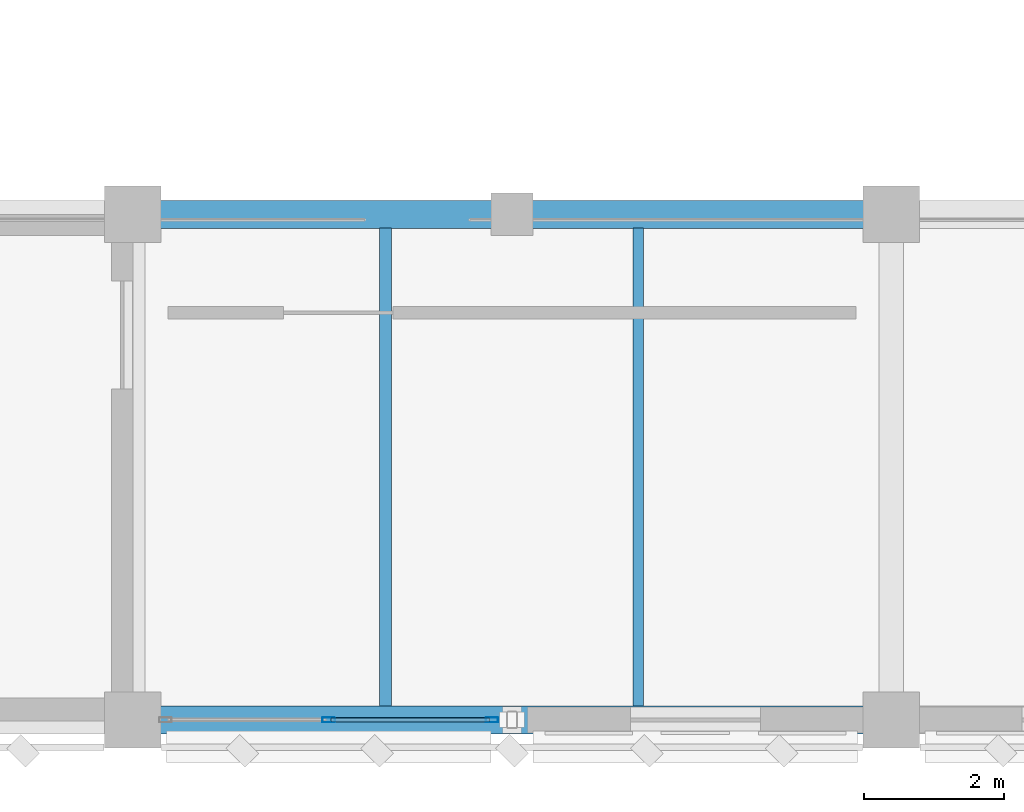
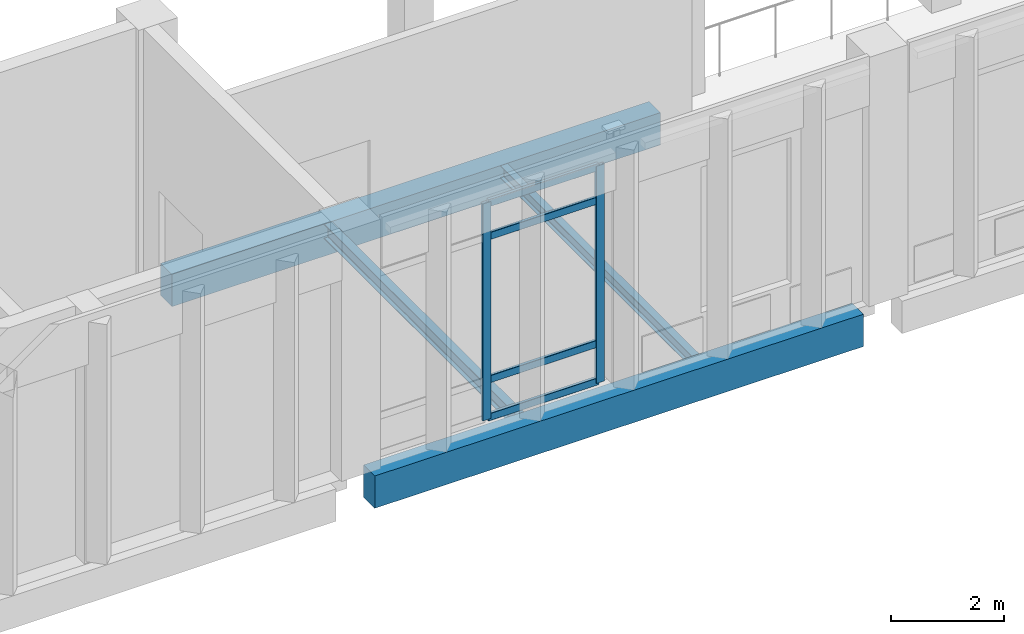
# One storey, part 10 of 180: 6 members, 4 beams, 1 element without a shape of its own.
"""IFC4 building model written with IfcOpenShell, lengths in metres."""

from ifc_helpers import new_model, si_unit, direction, frame, origin, origin_2d, place, context, subcontext, project, spatial, rectangle, hollow_rectangle, i_section, extrude, material, material_profile, profile_set, type_object, element, aggregate, save


model = new_model("IFC4")

# Units and contexts
model_context = context("Model", 3, precision=1e-05, world=origin(), true_north=direction((0.0, 1.0)))
body_context = subcontext(model_context, "Body", "Model", "MODEL_VIEW")
ifc_project = project(units=[si_unit("LENGTHUNIT", "METRE"), si_unit("AREAUNIT", "SQUARE_METRE"), si_unit("VOLUMEUNIT", "CUBIC_METRE"), si_unit("PLANEANGLEUNIT", "RADIAN"), si_unit("MASSUNIT", "GRAM", prefix="KILO")], contexts=[model_context])

# Site, building, storey
site_placement = place(None, origin())
site = spatial("IfcSite", under=ifc_project, at=site_placement, CompositionType="ELEMENT")
building_placement = place(site_placement, origin())
building = spatial("IfcBuilding", under=site, at=building_placement, Name="Lusvemor Sports Hall", CompositionType="ELEMENT")
storey_placement = place(building_placement, frame((0.0, 0.0, 5.39990234375)))
storey = spatial("IfcBuildingStorey", under=building, at=storey_placement, Name="L01", CompositionType="ELEMENT", Elevation=5.39990234375)

# Curtain wall, members
ifc_material_1 = material(Name="Thermally broken bronze-anodized aluminium", Category="aluminium")
curtain_wall_type = type_object("IfcCurtainWallType", Name="CW_COURT_C", PredefinedType="NOTDEFINED", material=ifc_material_1)
curtain_wall_placement = place(storey_placement, origin())
curtain_wall = element("IfcCurtainWall", 1, at=curtain_wall_placement, inside=storey, type_object=curtain_wall_type, Name="Curtain Wall CW-V1S-L01-1-1", PredefinedType="NOTDEFINED")
ifc_material_2 = material(Name="Thermally broken bronze-anodized aluminium", Category="aluminium")
ifc_material_profile_1 = material_profile(ifc_material_2, hollow_rectangle(XDim=0.070068359375, YDim=0.179931640625, WallThickness=0.0048828125, InnerFilletRadius=0.0048828125, OuterFilletRadius=0.010009765625, at=origin_2d()), Name="CWMUL180x70x5")
ifc_profile_set_1 = profile_set([ifc_material_profile_1], Name="Thermally broken bronze-anodized aluminium")
member_type_1 = type_object("IfcMemberType", Name="CW_MUL_A", PredefinedType="MULLION", material=ifc_profile_set_1)
member_1_placement = place(storey_placement, frame((15.9150390625, 0.0, 0.0), z_axis=(0.0, 0.0, 1.0), x_axis=(0.0, -1.0, 0.0)))
member_1 = element("IfcMember", 2, at=member_1_placement, type_object=member_type_1, Name="CW03 mullion 1", PredefinedType="MULLION", context=body_context, shape_type="SweptSolid", body=[
    extrude(hollow_rectangle(XDim=0.070068359375, YDim=0.179931640625, WallThickness=0.0048828125, InnerFilletRadius=0.0048828125, OuterFilletRadius=0.010009765625, at=origin_2d()), origin(), (0.0, 0.0, 1.0), 4.7001953125),
])
member_2_placement = place(storey_placement, frame((13.590087890625, 0.0, 0.0), z_axis=(0.0, 0.0, 1.0), x_axis=(0.0, -1.0, 0.0)))
member_2 = element("IfcMember", 3, at=member_2_placement, type_object=member_type_1, Name="CW03 mullion 2", PredefinedType="MULLION", context=body_context, shape_type="SweptSolid", body=[
    extrude(hollow_rectangle(XDim=0.070068359375, YDim=0.179931640625, WallThickness=0.0048828125, InnerFilletRadius=0.0048828125, OuterFilletRadius=0.010009765625, at=origin_2d()), origin(), (0.0, 0.0, 1.0), 4.7001953125),
])
ifc_material_3 = material(Name="Thermally broken bronze-anodized aluminium", Category="aluminium")
ifc_material_profile_2 = material_profile(ifc_material_3, hollow_rectangle(XDim=0.06494140625, YDim=0.159912109375, WallThickness=0.00390625, InnerFilletRadius=0.00390625, OuterFilletRadius=0.008056640625, at=origin_2d()), Name="CWTRN160x65x4")
ifc_profile_set_2 = profile_set([ifc_material_profile_2], Name="Thermally broken bronze-anodized aluminium")
member_type_2 = type_object("IfcMemberType", Name="CW_TRN_A", PredefinedType="USERDEFINED", material=ifc_profile_set_2)
member_3_placement = place(storey_placement, frame((15.8798828125, 0.0, 0.03271484375), z_axis=(-1.0, 0.0, 0.0), x_axis=(0.0, -1.0, 0.0)))
member_3 = element("IfcMember", 4, at=member_3_placement, type_object=member_type_2, Name="CW03 transom 1.1", ObjectType="TRANSOM", PredefinedType="USERDEFINED", context=body_context, shape_type="SweptSolid", body=[
    extrude(hollow_rectangle(XDim=0.06494140625, YDim=0.159912109375, WallThickness=0.00390625, InnerFilletRadius=0.00390625, OuterFilletRadius=0.008056640625, at=origin_2d()), origin(), (0.0, 0.0, 1.0), 2.2548828125),
])
member_4_placement = place(storey_placement, frame((15.8798828125, 0.0, 0.85009765625), z_axis=(-1.0, 0.0, 0.0), x_axis=(0.0, -1.0, 0.0)))
member_4 = element("IfcMember", 5, at=member_4_placement, type_object=member_type_2, Name="CW03 transom 1.2", ObjectType="TRANSOM", PredefinedType="USERDEFINED", context=body_context, shape_type="SweptSolid", body=[
    extrude(hollow_rectangle(XDim=0.06494140625, YDim=0.159912109375, WallThickness=0.00390625, InnerFilletRadius=0.00390625, OuterFilletRadius=0.008056640625, at=origin_2d()), origin(), (0.0, 0.0, 1.0), 2.2548828125),
])
member_5_placement = place(storey_placement, frame((15.8798828125, 0.0, 3.9501953125), z_axis=(-1.0, 0.0, 0.0), x_axis=(0.0, -1.0, 0.0)))
member_5 = element("IfcMember", 6, at=member_5_placement, type_object=member_type_2, Name="CW03 transom 1.3", ObjectType="TRANSOM", PredefinedType="USERDEFINED", context=body_context, shape_type="SweptSolid", body=[
    extrude(hollow_rectangle(XDim=0.06494140625, YDim=0.159912109375, WallThickness=0.00390625, InnerFilletRadius=0.00390625, OuterFilletRadius=0.008056640625, at=origin_2d()), origin(), (0.0, 0.0, 1.0), 2.2548828125),
])
member_6_placement = place(storey_placement, frame((15.8798828125, 0.0, 4.66748046875), z_axis=(-1.0, 0.0, 0.0), x_axis=(0.0, -1.0, 0.0)))
member_6 = element("IfcMember", 7, at=member_6_placement, type_object=member_type_2, Name="CW03 transom 1.4", ObjectType="TRANSOM", PredefinedType="USERDEFINED", context=body_context, shape_type="SweptSolid", body=[
    extrude(hollow_rectangle(XDim=0.06494140625, YDim=0.159912109375, WallThickness=0.00390625, InnerFilletRadius=0.00390625, OuterFilletRadius=0.008056640625, at=origin_2d()), origin(), (0.0, 0.0, 1.0), 2.2548828125),
])
aggregate(curtain_wall, [member_1, member_2, member_3, member_4, member_5, member_6])

# Beams
ifc_material_4 = material(Name="Steel S355", Category="steel")
ifc_material_profile_3 = material_profile(ifc_material_4, i_section(OverallWidth=0.14794921875, OverallDepth=0.26611328125, WebThickness=0.007568359375, FlangeThickness=0.012939453125, FilletRadius=0.012939453125, at=origin_2d()), Name="W250x44.8")
ifc_profile_set_3 = profile_set([ifc_material_profile_3], Name="Steel S355")
beam_type_1 = type_object("IfcBeamType", Name="JOIST_ST_250M", PredefinedType="JOIST", material=ifc_profile_set_3)
beam_1_placement = place(storey_placement, frame((18.0, 0.196044921875, -0.4169921875), z_axis=(0.0, 1.0, 0.0), x_axis=(-1.0, 0.0, 0.0)))
element("IfcBeam", 8, at=beam_1_placement, inside=storey, type_object=beam_type_1, Name="Secondary Joist L01 2-3/A-B #2", PredefinedType="JOIST", context=body_context, shape_type="SweptSolid", body=[
    extrude(i_section(OverallWidth=0.14794921875, OverallDepth=0.26611328125, WebThickness=0.007568359375, FlangeThickness=0.012939453125, FilletRadius=0.012939453125, at=origin_2d()), origin(), (0.0, 0.0, 1.0), 6.807861328125),
])
ifc_material_5 = material(Name="Steel S355", Category="steel")
ifc_material_profile_4 = material_profile(ifc_material_5, i_section(OverallWidth=0.1669921875, OverallDepth=0.31689453125, WebThickness=0.007568359375, FlangeThickness=0.01318359375, FilletRadius=0.014892578125, at=origin_2d()), Name="W310x52.0")
ifc_profile_set_4 = profile_set([ifc_material_profile_4], Name="Steel S355")
beam_type_2 = type_object("IfcBeamType", Name="JOIST_ST_310M", PredefinedType="JOIST", material=ifc_profile_set_4)
beam_2_placement = place(storey_placement, frame((14.39990234375, 0.196044921875, -0.4423828125), z_axis=(0.0, 1.0, 0.0), x_axis=(-1.0, 0.0, 0.0)))
element("IfcBeam", 9, at=beam_2_placement, inside=storey, type_object=beam_type_2, Name="Secondary Joist L01 2-3/A-B #1", PredefinedType="JOIST", context=body_context, shape_type="SweptSolid", body=[
    extrude(i_section(OverallWidth=0.1669921875, OverallDepth=0.31689453125, WebThickness=0.007568359375, FlangeThickness=0.01318359375, FilletRadius=0.014892578125, at=origin_2d()), origin(), (0.0, 0.0, 1.0), 6.807861328125),
])
ifc_material_6 = material(Name="Concrete C40/50", Category="concrete")
ifc_material_profile_5 = material_profile(ifc_material_6, rectangle(XDim=0.39990234375, YDim=0.699951171875, at=origin_2d()), Name="RC400x700")
ifc_profile_set_5 = profile_set([ifc_material_profile_5], Name="Concrete C40/50")
beam_type_3 = type_object("IfcBeamType", Name="SPAND_EXT_700", PredefinedType="SPANDREL", material=ifc_profile_set_5)
for number, where, z_axis, x_axis, name in (
    (10, (11.196044921875, 0.0, -0.6298828125), (1.0, 0.0, 0.0), (0.0, 1.0, 0.0), "Beam L01 A:2-3"),
    (11, (11.196044921875, 7.199951171875, -0.6298828125), (1.0, 0.0, 0.0), (0.0, 1.0, 0.0), "Beam L01 B:2-3"),
):
    element("IfcBeam", number, at=place(storey_placement, frame(where, z_axis=z_axis, x_axis=x_axis)), inside=storey, type_object=beam_type_3, Name=name, PredefinedType="SPANDREL", context=body_context, shape_type="SweptSolid", body=[
        extrude(rectangle(XDim=0.39990234375, YDim=0.699951171875, at=origin_2d()), origin(), (0.0, 0.0, 1.0), 10.008056640625),
    ])

save(model, "model.ifc")
